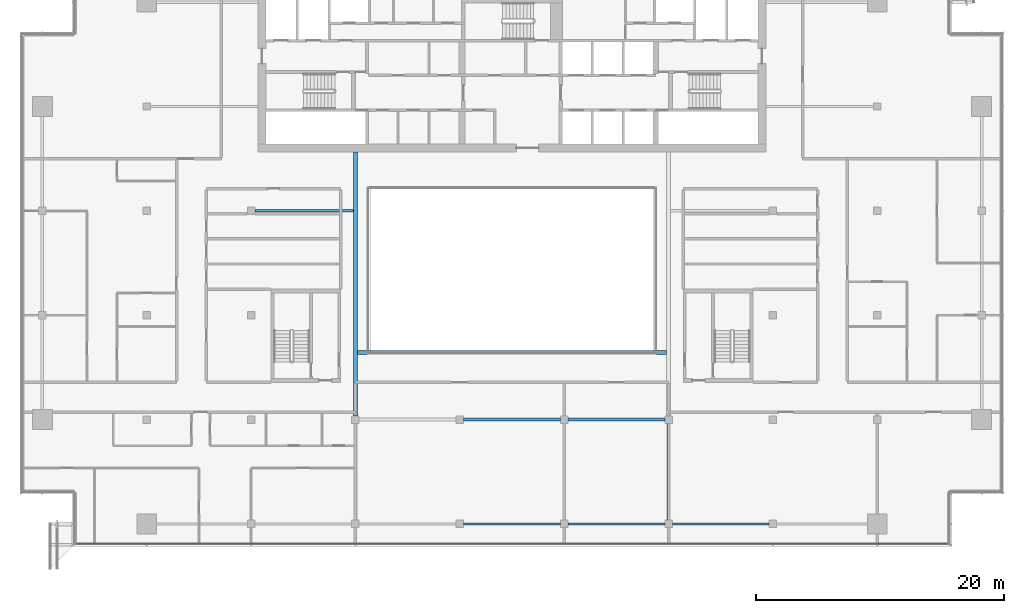
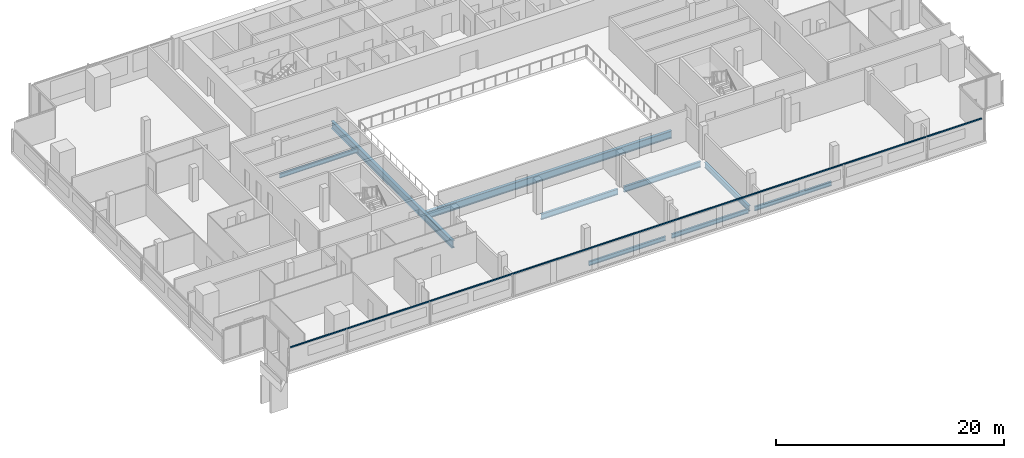
# One storey, part 7 of 25: 9 beams, 1 member, 1 element without a shape of its own.
"""IFC4 building model written with IfcOpenShell, lengths in metres."""

from ifc_helpers import new_model, si_unit, direction, frame, origin, origin_2d, place, context, subcontext, project, spatial, rectangle, i_section, extrude, material, material_profile, profile_set, type_object, element, aggregate, save


model = new_model("IFC4")

# Units and contexts
model_context = context("Model", 3, precision=1e-05, world=origin(), true_north=direction((0.0, 1.0)))
body_context = subcontext(model_context, "Body", "Model", "MODEL_VIEW")
ifc_project = project(units=[si_unit("LENGTHUNIT", "METRE"), si_unit("AREAUNIT", "SQUARE_METRE"), si_unit("VOLUMEUNIT", "CUBIC_METRE"), si_unit("PLANEANGLEUNIT", "RADIAN"), si_unit("MASSUNIT", "GRAM", prefix="KILO")], contexts=[model_context])

# Site, building, storey
site_placement = place(None, origin())
site = spatial("IfcSite", under=ifc_project, at=site_placement, CompositionType="ELEMENT")
building_placement = place(site_placement, origin())
building = spatial("IfcBuilding", under=site, at=building_placement, Name="Saffron Gate Tower", CompositionType="ELEMENT")
storey_placement = place(building_placement, frame((0.0, 0.0, 248.699951171875)))
storey = spatial("IfcBuildingStorey", under=building, at=storey_placement, Name="L61", CompositionType="ELEMENT", Elevation=248.699951171875)

# Beams
ifc_material_1 = material(Name="Structural steel S355", Category="steel")
ifc_material_profile_1 = material_profile(ifc_material_1, i_section(OverallWidth=0.219970703125, OverallDepth=0.60009765625, WebThickness=0.011962890625, FlangeThickness=0.01904296875, FilletRadius=0.02392578125, at=origin_2d()))
ifc_profile_set_1 = profile_set([ifc_material_profile_1], Name="Structural steel S355")
beam_type_1 = type_object("IfcBeamType", Name="B15 IPE 600", PredefinedType="BEAM", material=ifc_profile_set_1)
beam_1_placement = place(storey_placement, frame((100.199951171875, 32.10009765625, -0.579833984375), z_axis=(0.0, 1.0, 0.0), x_axis=(-1.0, 0.0, 0.0)))
element("IfcBeam", 1, at=beam_1_placement, inside=storey, type_object=beam_type_1, Name="B15 FLOOR GIRDER", PredefinedType="BEAM", context=body_context, shape_type="SweptSolid", body=[
    extrude(i_section(OverallWidth=0.219970703125, OverallDepth=0.60009765625, WebThickness=0.011962890625, FlangeThickness=0.01904296875, FilletRadius=0.02392578125, at=origin_2d()), origin(), (0.0, 0.0, 1.0), 7.7998046875),
])
beam_2_placement = place(storey_placement, frame((83.699951171875, 40.199951171875, -0.579833984375), z_axis=(1.0, 0.0, 0.0), x_axis=(0.0, 1.0, 0.0)))
element("IfcBeam", 2, at=beam_2_placement, inside=storey, type_object=beam_type_1, Name="B15 FLOOR GIRDER", PredefinedType="BEAM", context=body_context, shape_type="SweptSolid", body=[
    extrude(i_section(OverallWidth=0.219970703125, OverallDepth=0.60009765625, WebThickness=0.011962890625, FlangeThickness=0.01904296875, FilletRadius=0.02392578125, at=origin_2d()), origin(), (0.0, 0.0, 1.0), 7.800048828125),
])
beam_3_placement = place(storey_placement, frame((92.10009765625, 40.199951171875, -0.579833984375), z_axis=(1.0, 0.0, 0.0), x_axis=(0.0, 1.0, 0.0)))
element("IfcBeam", 3, at=beam_3_placement, inside=storey, type_object=beam_type_1, Name="B15 FLOOR GIRDER", PredefinedType="BEAM", context=body_context, shape_type="SweptSolid", body=[
    extrude(i_section(OverallWidth=0.219970703125, OverallDepth=0.60009765625, WebThickness=0.011962890625, FlangeThickness=0.01904296875, FilletRadius=0.02392578125, at=origin_2d()), origin(), (0.0, 0.0, 1.0), 7.7998046875),
])
ifc_material_profile_2 = material_profile(ifc_material_1, i_section(OverallWidth=0.300048828125, OverallDepth=0.7900390625, WebThickness=0.014892578125, FlangeThickness=0.028076171875, FilletRadius=0.030029296875, at=origin_2d()))
ifc_profile_set_2 = profile_set([ifc_material_profile_2], Name="Structural steel S355")
beam_type_2 = type_object("IfcBeamType", Name="B18 HEA 800", PredefinedType="BEAM", material=ifc_profile_set_2)
beam_4_placement = place(storey_placement, frame((75.0, 40.5, -0.675048828125), z_axis=(0.0, 1.0, 0.0), x_axis=(-1.0, 0.0, 0.0)))
element("IfcBeam", 4, at=beam_4_placement, inside=storey, type_object=beam_type_2, Name="B18 ATRIUM GIRDER", PredefinedType="BEAM", context=body_context, shape_type="SweptSolid", body=[
    extrude(i_section(OverallWidth=0.300048828125, OverallDepth=0.7900390625, WebThickness=0.014892578125, FlangeThickness=0.028076171875, FilletRadius=0.030029296875, at=origin_2d()), origin(), (0.0, 0.0, 1.0), 21.25),
])
beam_5_placement = place(storey_placement, frame((75.14990234375, 45.60009765625, -0.675048828125), z_axis=(1.0, 0.0, 0.0), x_axis=(0.0, 1.0, 0.0)))
element("IfcBeam", 5, at=beam_5_placement, inside=storey, type_object=beam_type_2, Name="B18 ATRIUM GIRDER", PredefinedType="BEAM", context=body_context, shape_type="SweptSolid", body=[
    extrude(i_section(OverallWidth=0.300048828125, OverallDepth=0.7900390625, WebThickness=0.014892578125, FlangeThickness=0.028076171875, FilletRadius=0.030029296875, at=origin_2d()), origin(), (0.0, 0.0, 1.0), 24.900146484375),
])
ifc_material_profile_3 = material_profile(ifc_material_1, i_section(OverallWidth=0.18994140625, OverallDepth=0.449951171875, WebThickness=0.009521484375, FlangeThickness=0.0146484375, FilletRadius=0.02099609375, at=origin_2d()))
ifc_profile_set_3 = profile_set([ifc_material_profile_3], Name="Structural steel S355")
beam_type_3 = type_object("IfcBeamType", Name="B6 IPE 450", PredefinedType="BEAM", material=ifc_profile_set_3)
beam_6_placement = place(storey_placement, frame((66.89990234375, 57.0, -0.5048828125), z_axis=(1.0, 0.0, 0.0), x_axis=(0.0, 1.0, 0.0)))
element("IfcBeam", 6, at=beam_6_placement, inside=storey, type_object=beam_type_3, Name="B6 CORE TIE BEAM", PredefinedType="BEAM", context=body_context, shape_type="SweptSolid", body=[
    extrude(i_section(OverallWidth=0.18994140625, OverallDepth=0.449951171875, WebThickness=0.009521484375, FlangeThickness=0.0146484375, FilletRadius=0.02099609375, at=origin_2d()), origin(), (0.0, 0.0, 1.0), 7.9501953125),
])
ifc_material_profile_4 = material_profile(ifc_material_1, i_section(OverallWidth=0.18994140625, OverallDepth=0.449951171875, WebThickness=0.009521484375, FlangeThickness=0.0146484375, FilletRadius=0.02099609375, at=origin_2d()))
ifc_profile_set_4 = profile_set([ifc_material_profile_4], Name="Structural steel S355")
beam_type_4 = type_object("IfcBeamType", Name="B7 IPE 450", PredefinedType="SPANDREL", material=ifc_profile_set_4)
beam_7_placement = place(storey_placement, frame((83.699951171875, 31.800048828125, -0.5048828125), z_axis=(1.0, 0.0, 0.0), x_axis=(0.0, 1.0, 0.0)))
element("IfcBeam", 7, at=beam_7_placement, inside=storey, type_object=beam_type_4, Name="B7 SPANDREL BEAM", PredefinedType="SPANDREL", context=body_context, shape_type="SweptSolid", body=[
    extrude(i_section(OverallWidth=0.18994140625, OverallDepth=0.449951171875, WebThickness=0.009521484375, FlangeThickness=0.0146484375, FilletRadius=0.02099609375, at=origin_2d()), origin(), (0.0, 0.0, 1.0), 7.800048828125),
])
beam_8_placement = place(storey_placement, frame((92.10009765625, 31.800048828125, -0.5048828125), z_axis=(1.0, 0.0, 0.0), x_axis=(0.0, 1.0, 0.0)))
element("IfcBeam", 8, at=beam_8_placement, inside=storey, type_object=beam_type_4, Name="B7 SPANDREL BEAM", PredefinedType="SPANDREL", context=body_context, shape_type="SweptSolid", body=[
    extrude(i_section(OverallWidth=0.18994140625, OverallDepth=0.449951171875, WebThickness=0.009521484375, FlangeThickness=0.0146484375, FilletRadius=0.02099609375, at=origin_2d()), origin(), (0.0, 0.0, 1.0), 7.7998046875),
])
beam_9_placement = place(storey_placement, frame((100.5, 31.800048828125, -0.5048828125), z_axis=(1.0, 0.0, 0.0), x_axis=(0.0, 1.0, 0.0)))
element("IfcBeam", 9, at=beam_9_placement, inside=storey, type_object=beam_type_4, Name="B7 SPANDREL BEAM", PredefinedType="SPANDREL", context=body_context, shape_type="SweptSolid", body=[
    extrude(i_section(OverallWidth=0.18994140625, OverallDepth=0.449951171875, WebThickness=0.009521484375, FlangeThickness=0.0146484375, FilletRadius=0.02099609375, at=origin_2d()), origin(), (0.0, 0.0, 1.0), 7.800048828125),
])

# Curtain wall, member
ifc_material_2 = material(Name="Aluminium, bronze anodised", Category="aluminium")
curtain_wall_type = type_object("IfcCurtainWallType", Name="CWS1 curtain wall front facade", PredefinedType="NOTDEFINED", material=ifc_material_2)
curtain_wall_placement = place(storey_placement, origin())
curtain_wall = element("IfcCurtainWall", 10, at=curtain_wall_placement, inside=storey, type_object=curtain_wall_type, Name="CWS1 run 1", PredefinedType="NOTDEFINED")
ifc_material_profile_5 = material_profile(ifc_material_2, rectangle(XDim=0.1201171875, YDim=0.1201171875, at=origin_2d()))
ifc_profile_set_5 = profile_set([ifc_material_profile_5], Name="Aluminium, bronze anodised")
member_type = type_object("IfcMemberType", Name="CWS1 head transom", PredefinedType="USERDEFINED", material=ifc_profile_set_5)
member_placement = place(storey_placement, frame((52.568115234375, 30.248046875, 2.35009765625), z_axis=(1.0, 0.0, 0.0), x_axis=(0.0, 1.0, 0.0)))
member = element("IfcMember", 11, at=member_placement, type_object=member_type, Name="CWS1 head transom", ObjectType="TRANSOM", PredefinedType="USERDEFINED", context=body_context, shape_type="SweptSolid", body=[
    extrude(rectangle(XDim=0.1201171875, YDim=0.1201171875, at=origin_2d()), origin(), (0.0, 0.0, 1.0), 70.06396484375),
])
aggregate(curtain_wall, [member])

save(model, "model.ifc")
